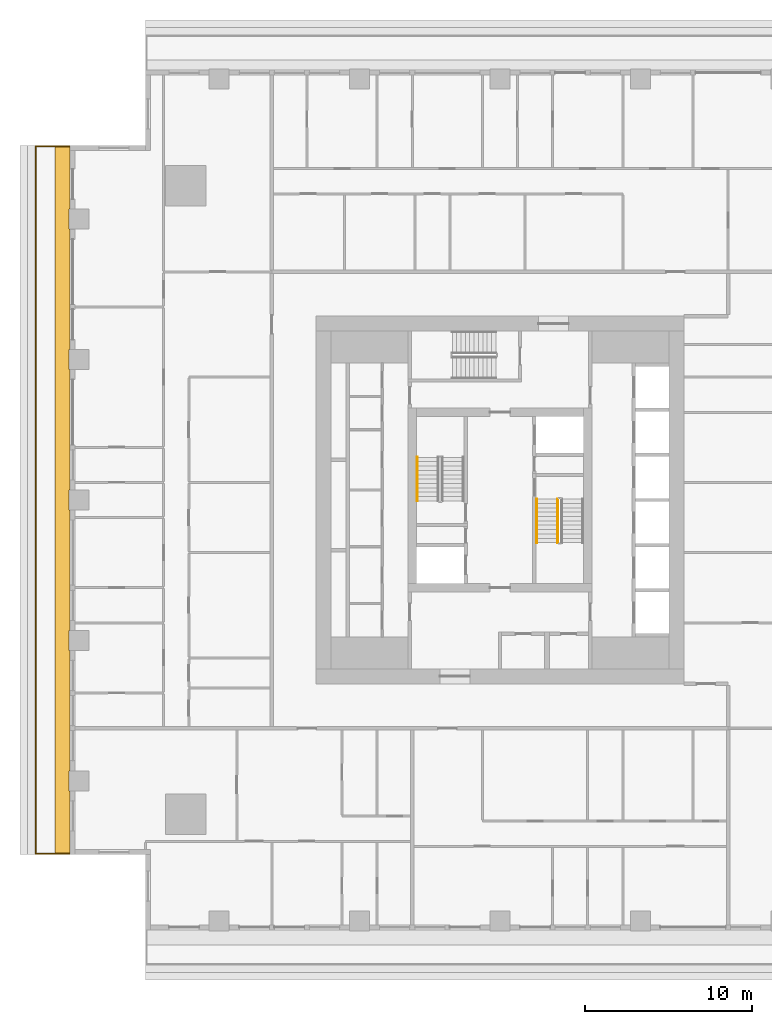
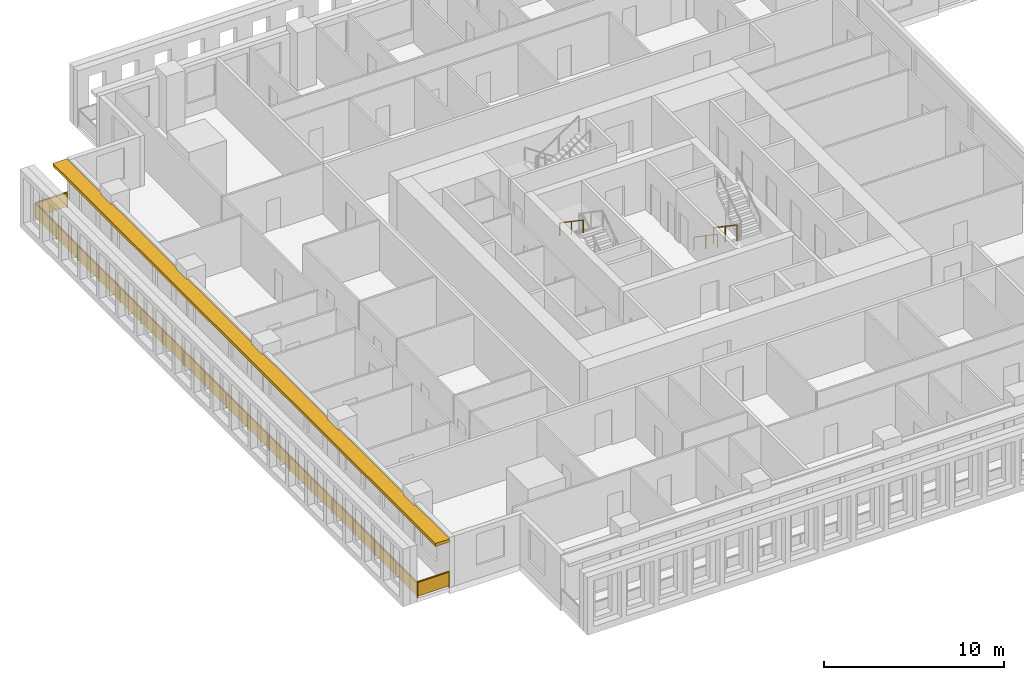
# One storey, part 11 of 15: 4 railings, 1 shading device.
"""IFC4 building model written with IfcOpenShell, lengths in metres."""

from ifc_helpers import new_model, si_unit, direction, frame, origin, origin_2d, place, context, subcontext, project, spatial, polyline, rectangle, outline, extrude, material, layer, layer_set, type_object, element, save


model = new_model("IFC4")

# Units and contexts
model_context = context("Model", 3, precision=1e-05, world=origin(), true_north=direction((0.0, 1.0)))
body_context = subcontext(model_context, "Body", "Model", "MODEL_VIEW")
ifc_project = project(units=[si_unit("LENGTHUNIT", "METRE"), si_unit("AREAUNIT", "SQUARE_METRE"), si_unit("VOLUMEUNIT", "CUBIC_METRE"), si_unit("PLANEANGLEUNIT", "RADIAN"), si_unit("MASSUNIT", "GRAM", prefix="KILO")], contexts=[model_context])

# Site, building, storey
site_placement = place(None, origin())
site = spatial("IfcSite", under=ifc_project, at=site_placement, CompositionType="ELEMENT")
building_placement = place(site_placement, origin())
building = spatial("IfcBuilding", under=site, at=building_placement, Name="Khepri Terraces", CompositionType="ELEMENT")
storey_placement = place(building_placement, frame((0.0, 0.0, 231.300048828125)))
storey = spatial("IfcBuildingStorey", under=building, at=storey_placement, Name="L55", CompositionType="ELEMENT", Elevation=231.300048828125)

# Railings
ifc_material_1 = material(Name="Stainless steel grade 316", Category="steel")
railing_type_1 = type_object("IfcRailingType", Name="GRD-BAL-1100", PredefinedType="GUARDRAIL", material=ifc_material_1)
railing_1_placement = place(storey_placement, frame((-25.719970703125, 21.169921875, 0.0)))
element("IfcRailing", 1, at=railing_1_placement, inside=storey, type_object=railing_type_1, Name="Balcony guard L55 W", PredefinedType="GUARDRAIL", context=body_context, shape_type="SweptSolid", body=[
    extrude(rectangle(XDim=0.050048828125, YDim=0.06005859375, at=origin_2d()), frame((0.0, 0.0, 1.070068359375), z_axis=(-1.0, 0.0, 0.0), x_axis=(0.0, -1.0, 0.0)), (0.0, 0.0, 1.0), 2.050048828125),
    extrude(rectangle(XDim=2.0, YDim=0.011962890625, at=origin_2d()), frame((-1.02490234375, 0.0, 0.10009765625), z_axis=(0.0, 0.0, 1.0), x_axis=(-1.0, 0.0, 0.0)), (0.0, 0.0, 1.0), 0.93994140625),
    extrude(rectangle(XDim=0.050048828125, YDim=0.06005859375, at=origin_2d()), frame((-2.050048828125, 0.0, 1.070068359375), z_axis=(0.0, -1.0, 0.0), x_axis=(1.0, 0.0, 0.0)), (0.0, 0.0, 1.0), 42.33984375),
    extrude(rectangle(XDim=2.30224609375, YDim=0.011962890625, at=origin_2d()), frame((-2.050048828125, -1.176025390625, 0.10009765625), z_axis=(0.0, 0.0, 1.0), x_axis=(0.0, -1.0, 0.0)), (0.0, 0.0, 1.0), 0.93994140625),
    extrude(rectangle(XDim=2.30224609375, YDim=0.011962890625, at=origin_2d()), frame((-2.050048828125, -3.5283203125, 0.10009765625), z_axis=(0.0, 0.0, 1.0), x_axis=(0.0, -1.0, 0.0)), (0.0, 0.0, 1.0), 0.93994140625),
    extrude(rectangle(XDim=2.30224609375, YDim=0.011962890625, at=origin_2d()), frame((-2.050048828125, -5.880615234375, 0.10009765625), z_axis=(0.0, 0.0, 1.0), x_axis=(0.0, -1.0, 0.0)), (0.0, 0.0, 1.0), 0.93994140625),
    extrude(rectangle(XDim=2.30224609375, YDim=0.011962890625, at=origin_2d()), frame((-2.050048828125, -8.232666015625, 0.10009765625), z_axis=(0.0, 0.0, 1.0), x_axis=(0.0, -1.0, 0.0)), (0.0, 0.0, 1.0), 0.93994140625),
    extrude(rectangle(XDim=2.30224609375, YDim=0.011962890625, at=origin_2d()), frame((-2.050048828125, -10.5849609375, 0.10009765625), z_axis=(0.0, 0.0, 1.0), x_axis=(0.0, -1.0, 0.0)), (0.0, 0.0, 1.0), 0.93994140625),
    extrude(rectangle(XDim=2.30224609375, YDim=0.011962890625, at=origin_2d()), frame((-2.050048828125, -12.937255859375, 0.10009765625), z_axis=(0.0, 0.0, 1.0), x_axis=(0.0, -1.0, 0.0)), (0.0, 0.0, 1.0), 0.93994140625),
    extrude(rectangle(XDim=2.30224609375, YDim=0.011962890625, at=origin_2d()), frame((-2.050048828125, -15.289306640625, 0.10009765625), z_axis=(0.0, 0.0, 1.0), x_axis=(0.0, -1.0, 0.0)), (0.0, 0.0, 1.0), 0.93994140625),
    extrude(rectangle(XDim=2.30224609375, YDim=0.011962890625, at=origin_2d()), frame((-2.050048828125, -17.6416015625, 0.10009765625), z_axis=(0.0, 0.0, 1.0), x_axis=(0.0, -1.0, 0.0)), (0.0, 0.0, 1.0), 0.93994140625),
    extrude(rectangle(XDim=2.30224609375, YDim=0.011962890625, at=origin_2d()), frame((-2.050048828125, -19.993896484375, 0.10009765625), z_axis=(0.0, 0.0, 1.0), x_axis=(0.0, -1.0, 0.0)), (0.0, 0.0, 1.0), 0.93994140625),
    extrude(rectangle(XDim=2.30224609375, YDim=0.011962890625, at=origin_2d()), frame((-2.050048828125, -22.345947265625, 0.10009765625), z_axis=(0.0, 0.0, 1.0), x_axis=(0.0, -1.0, 0.0)), (0.0, 0.0, 1.0), 0.93994140625),
    extrude(rectangle(XDim=2.30224609375, YDim=0.011962890625, at=origin_2d()), frame((-2.050048828125, -24.6982421875, 0.10009765625), z_axis=(0.0, 0.0, 1.0), x_axis=(0.0, -1.0, 0.0)), (0.0, 0.0, 1.0), 0.93994140625),
    extrude(rectangle(XDim=2.30224609375, YDim=0.011962890625, at=origin_2d()), frame((-2.050048828125, -27.050537109375, 0.10009765625), z_axis=(0.0, 0.0, 1.0), x_axis=(0.0, -1.0, 0.0)), (0.0, 0.0, 1.0), 0.93994140625),
    extrude(rectangle(XDim=2.30224609375, YDim=0.011962890625, at=origin_2d()), frame((-2.050048828125, -29.402587890625, 0.10009765625), z_axis=(0.0, 0.0, 1.0), x_axis=(0.0, -1.0, 0.0)), (0.0, 0.0, 1.0), 0.93994140625),
    extrude(rectangle(XDim=2.30224609375, YDim=0.011962890625, at=origin_2d()), frame((-2.050048828125, -31.7548828125, 0.10009765625), z_axis=(0.0, 0.0, 1.0), x_axis=(0.0, -1.0, 0.0)), (0.0, 0.0, 1.0), 0.93994140625),
    extrude(rectangle(XDim=2.30224609375, YDim=0.011962890625, at=origin_2d()), frame((-2.050048828125, -34.107177734375, 0.10009765625), z_axis=(0.0, 0.0, 1.0), x_axis=(0.0, -1.0, 0.0)), (0.0, 0.0, 1.0), 0.93994140625),
    extrude(rectangle(XDim=2.30224609375, YDim=0.011962890625, at=origin_2d()), frame((-2.050048828125, -36.459228515625, 0.10009765625), z_axis=(0.0, 0.0, 1.0), x_axis=(0.0, -1.0, 0.0)), (0.0, 0.0, 1.0), 0.93994140625),
    extrude(rectangle(XDim=2.30224609375, YDim=0.011962890625, at=origin_2d()), frame((-2.050048828125, -38.8115234375, 0.10009765625), z_axis=(0.0, 0.0, 1.0), x_axis=(0.0, -1.0, 0.0)), (0.0, 0.0, 1.0), 0.93994140625),
    extrude(rectangle(XDim=2.30224609375, YDim=0.011962890625, at=origin_2d()), frame((-2.050048828125, -41.163818359375, 0.10009765625), z_axis=(0.0, 0.0, 1.0), x_axis=(0.0, -1.0, 0.0)), (0.0, 0.0, 1.0), 0.93994140625),
    extrude(rectangle(XDim=0.050048828125, YDim=0.06005859375, at=origin_2d()), frame((-2.050048828125, -42.33984375, 1.070068359375), z_axis=(1.0, 0.0, 0.0), x_axis=(0.0, 1.0, 0.0)), (0.0, 0.0, 1.0), 2.050048828125),
    extrude(rectangle(XDim=2.0, YDim=0.011962890625, at=origin_2d()), frame((-1.02490234375, -42.33984375, 0.10009765625), z_axis=(0.0, 0.0, 1.0), x_axis=(1.0, 0.0, 0.0)), (0.0, 0.0, 1.0), 0.93994140625),
    extrude(rectangle(XDim=0.050048828125, YDim=0.050048828125, at=origin_2d()), origin(), (0.0, 0.0, 1.0), 1.0400390625),
    extrude(rectangle(XDim=0.050048828125, YDim=0.050048828125, at=origin_2d()), frame((-2.050048828125, 0.0, 0.0)), (0.0, 0.0, 1.0), 1.0400390625),
    extrude(rectangle(XDim=0.050048828125, YDim=0.050048828125, at=origin_2d()), frame((-2.050048828125, -2.352294921875, 0.0)), (0.0, 0.0, 1.0), 1.0400390625),
    extrude(rectangle(XDim=0.050048828125, YDim=0.050048828125, at=origin_2d()), frame((-2.050048828125, -4.704345703125, 0.0)), (0.0, 0.0, 1.0), 1.0400390625),
    extrude(rectangle(XDim=0.050048828125, YDim=0.050048828125, at=origin_2d()), frame((-2.050048828125, -7.056640625, 0.0)), (0.0, 0.0, 1.0), 1.0400390625),
    extrude(rectangle(XDim=0.050048828125, YDim=0.050048828125, at=origin_2d()), frame((-2.050048828125, -9.408935546875, 0.0)), (0.0, 0.0, 1.0), 1.0400390625),
    extrude(rectangle(XDim=0.050048828125, YDim=0.050048828125, at=origin_2d()), frame((-2.050048828125, -11.760986328125, 0.0)), (0.0, 0.0, 1.0), 1.0400390625),
    extrude(rectangle(XDim=0.050048828125, YDim=0.050048828125, at=origin_2d()), frame((-2.050048828125, -14.11328125, 0.0)), (0.0, 0.0, 1.0), 1.0400390625),
    extrude(rectangle(XDim=0.050048828125, YDim=0.050048828125, at=origin_2d()), frame((-2.050048828125, -16.465576171875, 0.0)), (0.0, 0.0, 1.0), 1.0400390625),
    extrude(rectangle(XDim=0.050048828125, YDim=0.050048828125, at=origin_2d()), frame((-2.050048828125, -18.817626953125, 0.0)), (0.0, 0.0, 1.0), 1.0400390625),
    extrude(rectangle(XDim=0.050048828125, YDim=0.050048828125, at=origin_2d()), frame((-2.050048828125, -21.169921875, 0.0)), (0.0, 0.0, 1.0), 1.0400390625),
    extrude(rectangle(XDim=0.050048828125, YDim=0.050048828125, at=origin_2d()), frame((-2.050048828125, -23.522216796875, 0.0)), (0.0, 0.0, 1.0), 1.0400390625),
    extrude(rectangle(XDim=0.050048828125, YDim=0.050048828125, at=origin_2d()), frame((-2.050048828125, -25.874267578125, 0.0)), (0.0, 0.0, 1.0), 1.0400390625),
    extrude(rectangle(XDim=0.050048828125, YDim=0.050048828125, at=origin_2d()), frame((-2.050048828125, -28.2265625, 0.0)), (0.0, 0.0, 1.0), 1.0400390625),
    extrude(rectangle(XDim=0.050048828125, YDim=0.050048828125, at=origin_2d()), frame((-2.050048828125, -30.578857421875, 0.0)), (0.0, 0.0, 1.0), 1.0400390625),
    extrude(rectangle(XDim=0.050048828125, YDim=0.050048828125, at=origin_2d()), frame((-2.050048828125, -32.930908203125, 0.0)), (0.0, 0.0, 1.0), 1.0400390625),
    extrude(rectangle(XDim=0.050048828125, YDim=0.050048828125, at=origin_2d()), frame((-2.050048828125, -35.283203125, 0.0)), (0.0, 0.0, 1.0), 1.0400390625),
    extrude(rectangle(XDim=0.050048828125, YDim=0.050048828125, at=origin_2d()), frame((-2.050048828125, -37.635498046875, 0.0)), (0.0, 0.0, 1.0), 1.0400390625),
    extrude(rectangle(XDim=0.050048828125, YDim=0.050048828125, at=origin_2d()), frame((-2.050048828125, -39.987548828125, 0.0)), (0.0, 0.0, 1.0), 1.0400390625),
    extrude(rectangle(XDim=0.050048828125, YDim=0.050048828125, at=origin_2d()), frame((-2.050048828125, -42.33984375, 0.0)), (0.0, 0.0, 1.0), 1.0400390625),
    extrude(rectangle(XDim=0.050048828125, YDim=0.050048828125, at=origin_2d()), frame((0.0, -42.33984375, 0.0)), (0.0, 0.0, 1.0), 1.0400390625),
])
ifc_material_2 = material(Name="Stainless steel 316", Category="steel")
railing_type_2 = type_object("IfcRailingType", Name="RL-CORE-GUARD", PredefinedType="GUARDRAIL", material=ifc_material_2)
railing_2_placement = place(storey_placement, frame((3.449951171875, 0.050048828125, 0.17724609375)))
element("IfcRailing", 2, at=railing_2_placement, inside=storey, type_object=railing_type_2, Name="L55 ST-2 stair guard 1", PredefinedType="GUARDRAIL", context=body_context, shape_type="SweptSolid", body=[
    extrude(rectangle(XDim=0.050048828125, YDim=0.06005859375, at=origin_2d()), frame((0.0, 0.0, 1.070068359375), z_axis=(0.0, -0.826240473404, 0.563317565952), x_axis=(1.0, 0.0, 0.0)), (0.0, 0.0, 1.0), 3.14697265625),
    extrude(rectangle(XDim=0.050048828125, YDim=0.050048828125, at=origin_2d()), origin(), (0.0, 0.0, 1.0), 1.0400390625),
    extrude(rectangle(XDim=0.050048828125, YDim=0.050048828125, at=origin_2d()), frame((0.0, -1.300048828125, 0.88623046875)), (0.0, 0.0, 1.0), 1.0400390625),
    extrude(rectangle(XDim=0.050048828125, YDim=0.050048828125, at=origin_2d()), frame((0.0, -2.60009765625, 1.772705078125)), (0.0, 0.0, 1.0), 1.0400390625),
])
railing_type_3 = type_object("IfcRailingType", Name="RL-CORE-HANDRAIL", PredefinedType="HANDRAIL", material=ifc_material_2)
for number, where, name in (
    (3, (-4.949951171875, 2.550048828125, 2.127197265625), "L55 ST-1 stair handrail 2"),
    (4, (2.199951171875, 0.050048828125, 0.17724609375), "L55 ST-2 stair handrail 1"),
):
    element("IfcRailing", number, at=place(storey_placement, frame(where)), inside=storey, type_object=railing_type_3, Name=name, PredefinedType="HANDRAIL", context=body_context, shape_type="SweptSolid", body=[
        extrude(rectangle(XDim=0.050048828125, YDim=0.050048828125, at=origin_2d()), frame((0.0, 0.0, 0.875), z_axis=(0.0, -0.826240473404, 0.563317565952), x_axis=(1.0, 0.0, 0.0)), (0.0, 0.0, 1.0), 3.14697265625),
        extrude(rectangle(XDim=0.050048828125, YDim=0.050048828125, at=origin_2d()), origin(), (0.0, 0.0, 1.0), 0.849853515625),
        extrude(rectangle(XDim=0.050048828125, YDim=0.050048828125, at=origin_2d()), frame((0.0, -1.300048828125, 0.88623046875)), (0.0, 0.0, 1.0), 0.849853515625),
        extrude(rectangle(XDim=0.050048828125, YDim=0.050048828125, at=origin_2d()), frame((0.0, -2.60009765625, 1.772705078125)), (0.0, 0.0, 1.0), 0.849853515625),
    ])

# Shading device
ifc_material_3 = material(Name="Precast concrete C50/60 warm stone", Category="masonry")
ifc_layer = layer(ifc_material_3, 0.199951171875, Name="Precast concrete C50/60 warm stone", Category="masonry")
ifc_layer_set = layer_set([ifc_layer], Name="Precast concrete C50/60 warm stone")
shading_device_type = type_object("IfcShadingDeviceType", Name="SSH-BAND-STONE-200", PredefinedType="USERDEFINED", material=ifc_layer_set)
shading_device_placement = place(storey_placement, frame((0.0, 0.0, 3.099853515625)))
element("IfcShadingDevice", 5, at=shading_device_placement, inside=storey, type_object=shading_device_type, Name="Sunshade band L55 W", ObjectType="SUNSHADE", PredefinedType="USERDEFINED", context=body_context, shape_type="SweptSolid", body=[
    extrude(outline(polyline([(-25.719970703125, 17.39990234375), (-25.719970703125, 21.219970703125), (-26.6201171875, 21.219970703125), (-26.6201171875, -21.219970703125), (-25.719970703125, -21.219970703125), (-25.719970703125, -17.39990234375), (-25.800048828125, -17.39990234375), (-25.800048828125, -16.199951171875), (-25.719970703125, -16.199951171875), (-25.719970703125, -9.0), (-25.800048828125, -9.0), (-25.800048828125, -7.800048828125), (-25.719970703125, -7.800048828125), (-25.719970703125, -0.60009765625), (-25.800048828125, -0.60009765625), (-25.800048828125, 0.60009765625), (-25.719970703125, 0.60009765625), (-25.719970703125, 7.800048828125), (-25.800048828125, 7.800048828125), (-25.800048828125, 9.0), (-25.719970703125, 9.0), (-25.719970703125, 16.199951171875), (-25.800048828125, 16.199951171875), (-25.800048828125, 17.39990234375), (-25.719970703125, 17.39990234375)])), origin(), (0.0, 0.0, 1.0), 0.2001953125),
])

save(model, "model.ifc")
